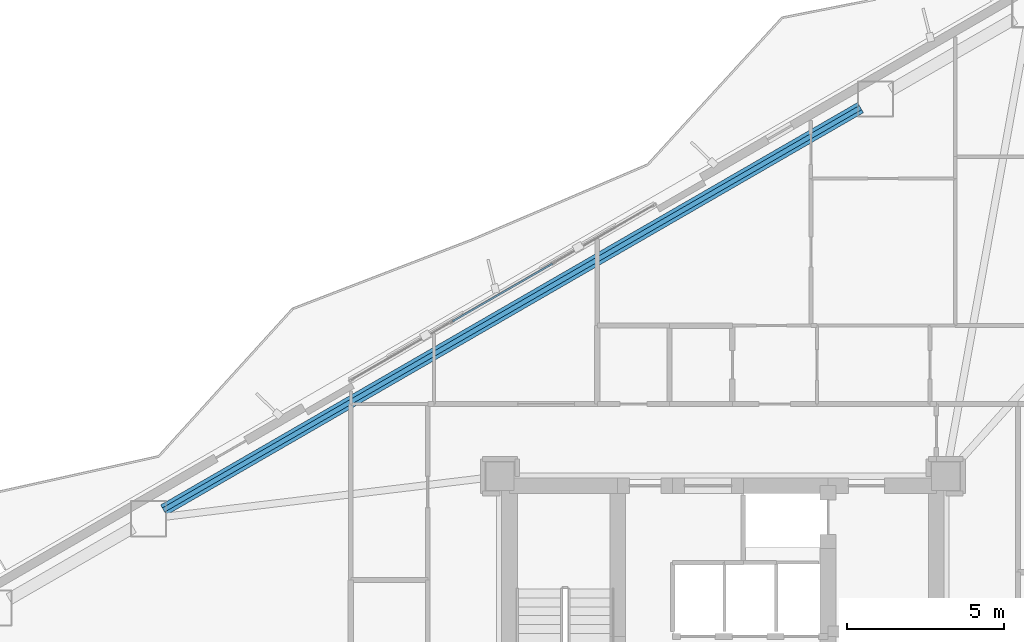
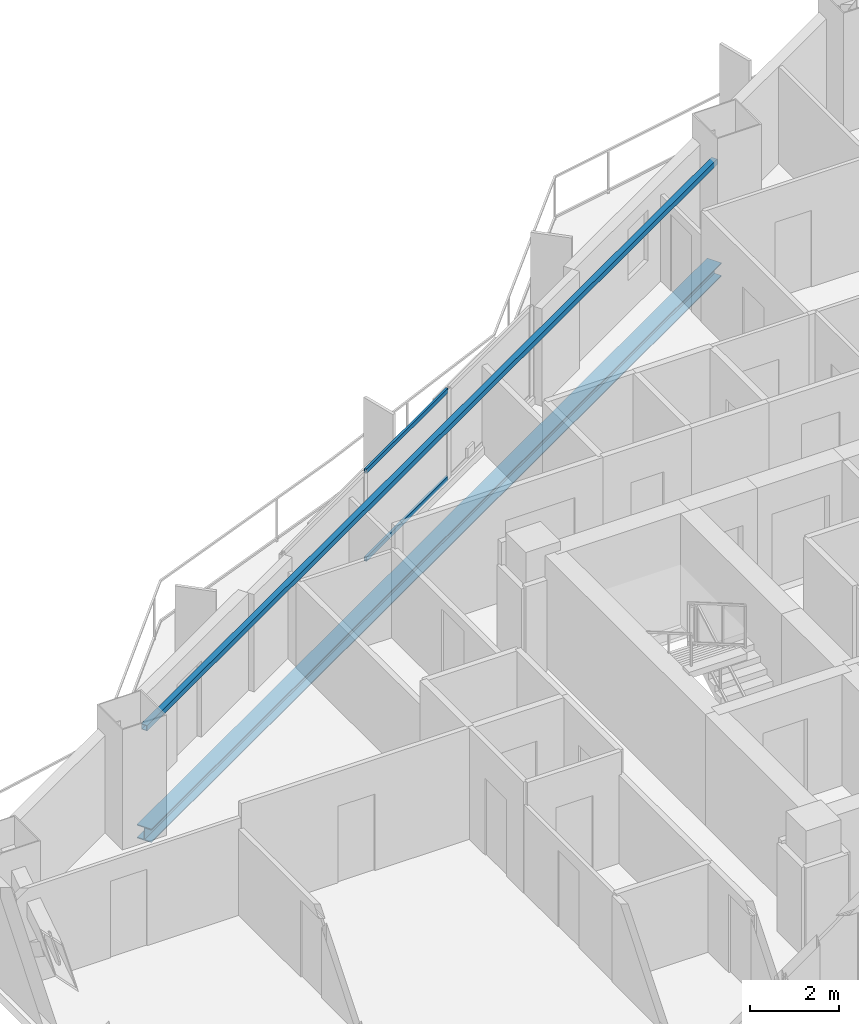
# One storey, part 12 of 23: 2 beams, 2 members, 1 element without a shape of its own.
"""IFC4 building model written with IfcOpenShell, lengths in metres."""

from ifc_helpers import new_model, si_unit, direction, frame, origin, origin_2d, place, context, subcontext, project, spatial, hollow_rectangle, i_section, extrude, material, layer, layer_set, material_profile, profile_set, type_object, element, aggregate, save


model = new_model("IFC4")

# Units and contexts
model_context = context("Model", 3, precision=1e-05, world=origin(), true_north=direction((0.0, 1.0)))
body_context = subcontext(model_context, "Body", "Model", "MODEL_VIEW")
ifc_project = project(units=[si_unit("LENGTHUNIT", "METRE"), si_unit("AREAUNIT", "SQUARE_METRE"), si_unit("VOLUMEUNIT", "CUBIC_METRE"), si_unit("PLANEANGLEUNIT", "RADIAN"), si_unit("MASSUNIT", "GRAM", prefix="KILO")], contexts=[model_context])

# Site, building, storey
site_placement = place(None, origin())
site = spatial("IfcSite", under=ifc_project, at=site_placement, CompositionType="ELEMENT")
building_placement = place(site_placement, origin())
building = spatial("IfcBuilding", under=site, at=building_placement, Name="Mersakhor Tower and Convention Hall", CompositionType="ELEMENT")
storey_placement = place(building_placement, frame((0.0, 0.0, 73.5)))
storey = spatial("IfcBuildingStorey", under=building, at=storey_placement, Name="L19", CompositionType="ELEMENT", Elevation=73.5)

# Beams
ifc_material_1 = material(Name="Steel S355", Category="steel")
ifc_material_profile_1 = material_profile(ifc_material_1, hollow_rectangle(XDim=0.14990234375, YDim=0.14990234375, WallThickness=0.010009765625, at=origin_2d()), Name="SHS 150x150x10")
ifc_profile_set_1 = profile_set([ifc_material_profile_1], Name="Steel S355")
beam_type_1 = type_object("IfcBeamType", Name="BM-GRT-SHS150", PredefinedType="USERDEFINED", material=ifc_profile_set_1)
beam_1_placement = place(storey_placement, frame((11.18310546875, 31.976318359375, 2.47998046875), z_axis=(0.866022538643, 0.500004962538, 0.0), x_axis=(-0.500004962538, 0.866022538643, 0.0)))
element("IfcBeam", 1, at=beam_1_placement, inside=storey, type_object=beam_type_1, Name="L19 Facade Support Girt GRT-F1", ObjectType="GIRT", PredefinedType="USERDEFINED", context=body_context, shape_type="SweptSolid", body=[
    extrude(hollow_rectangle(XDim=0.14990234375, YDim=0.14990234375, WallThickness=0.010009765625, at=origin_2d()), origin(), (0.0, 0.0, 1.0), 25.633544921875),
])
ifc_material_2 = material(Name="Steel S355", Category="steel")
ifc_material_profile_2 = material_profile(ifc_material_2, i_section(OverallWidth=0.374755859375, OverallDepth=0.37451171875, WebThickness=0.0166015625, FlangeThickness=0.027099609375, at=origin_2d()), Name="UC 356x368x202")
ifc_profile_set_2 = profile_set([ifc_material_profile_2], Name="Steel S355")
beam_type_2 = type_object("IfcBeamType", Name="BM-SPD-UC356", PredefinedType="SPANDREL", material=ifc_profile_set_2)
beam_2_placement = place(storey_placement, frame((11.18310546875, 31.976318359375, -0.437255859375), z_axis=(0.866022538643, 0.500004962538, 0.0), x_axis=(-0.500004962538, 0.866022538643, 0.0)))
element("IfcBeam", 2, at=beam_2_placement, inside=storey, type_object=beam_type_2, Name="L19 Perimeter Spandrel Beam SPB-02", PredefinedType="SPANDREL", context=body_context, shape_type="SweptSolid", body=[
    extrude(i_section(OverallWidth=0.374755859375, OverallDepth=0.37451171875, WebThickness=0.0166015625, FlangeThickness=0.027099609375, at=origin_2d()), origin(), (0.0, 0.0, 1.0), 25.633544921875),
])

# Curtain wall, members
ifc_material_3 = material(Name="Dark solar low-E aluminium curtain wall", Category="aluminium")
ifc_layer = layer(ifc_material_3, 0.159912109375)
ifc_layer_set = layer_set([ifc_layer], Name="Dark solar low-E aluminium curtain wall")
curtain_wall_type = type_object("IfcCurtainWallType", Name="CW-SYS-01", PredefinedType="USERDEFINED", material=ifc_layer_set)
curtain_wall_placement = place(storey_placement, origin())
curtain_wall = element("IfcCurtainWall", 3, at=curtain_wall_placement, inside=storey, type_object=curtain_wall_type, Name="L19 Dark-Glass Curtain Wall F1-B2", ObjectType="CURTAIN WALL", PredefinedType="USERDEFINED")
ifc_material_4 = material(Name="Anodised aluminium EN AW-6063 T6", Category="aluminium")
ifc_material_profile_3 = material_profile(ifc_material_4, hollow_rectangle(XDim=0.06005859375, YDim=0.1201171875, WallThickness=0.0048828125, at=origin_2d()), Name="RHS 120x60x5")
ifc_profile_set_3 = profile_set([ifc_material_profile_3], Name="Anodised aluminium EN AW-6063 T6")
member_type = type_object("IfcMemberType", Name="CWT-120x60", PredefinedType="USERDEFINED", material=ifc_profile_set_3)
member_1_placement = place(storey_placement, frame((20.394287109375, 37.9873046875, 0.22998046875), z_axis=(0.866039286129, 0.499975954304, 0.0), x_axis=(-0.499975954304, 0.866039286129, 0.0)))
member_1 = element("IfcMember", 4, at=member_1_placement, type_object=member_type, Name="CW-01 transom 2.1", ObjectType="TRANSOM", PredefinedType="USERDEFINED", context=body_context, shape_type="SweptSolid", body=[
    extrude(hollow_rectangle(XDim=0.06005859375, YDim=0.1201171875, WallThickness=0.0048828125, at=origin_2d()), origin(), (0.0, 0.0, 1.0), 3.668212890625),
])
member_2_placement = place(storey_placement, frame((20.394287109375, 37.9873046875, 2.639892578125), z_axis=(0.866039286129, 0.499975954304, 0.0), x_axis=(-0.499975954304, 0.866039286129, 0.0)))
member_2 = element("IfcMember", 5, at=member_2_placement, type_object=member_type, Name="CW-01 transom 2.2", ObjectType="TRANSOM", PredefinedType="USERDEFINED", context=body_context, shape_type="SweptSolid", body=[
    extrude(hollow_rectangle(XDim=0.06005859375, YDim=0.1201171875, WallThickness=0.0048828125, at=origin_2d()), origin(), (0.0, 0.0, 1.0), 3.668212890625),
])
aggregate(curtain_wall, [member_1, member_2])

save(model, "model.ifc")
